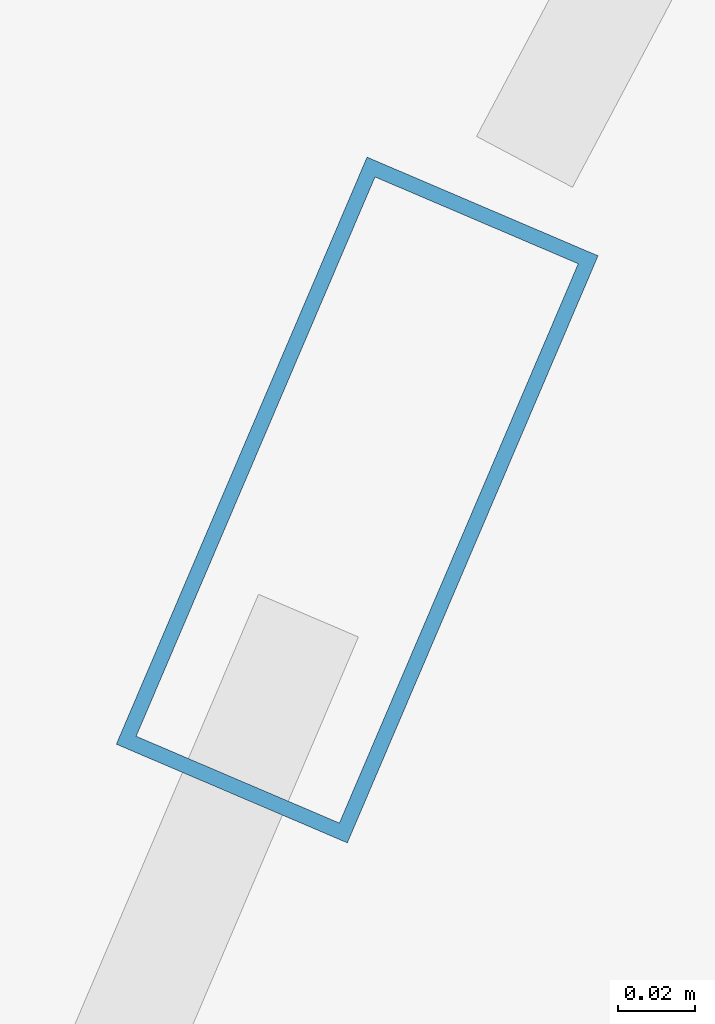
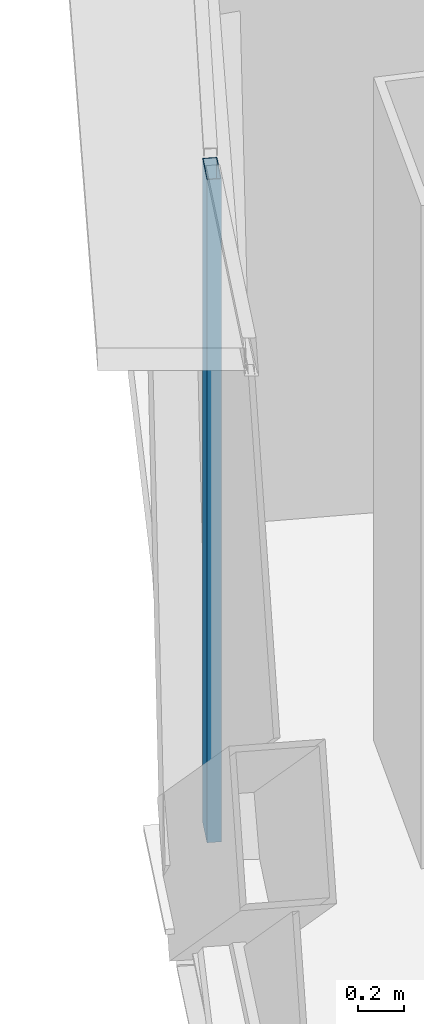
# One storey, part 8 of 41: 1 member, 1 element without a shape of its own.
"""IFC4 building model written with IfcOpenShell, lengths in metres."""

from ifc_helpers import new_model, si_unit, direction, frame, origin, origin_2d, place, context, subcontext, project, spatial, hollow_rectangle, extrude, source, transform, mapped, material, layer, layer_set, material_profile, profile_set, type_object, element, aggregate, save


model = new_model("IFC4")

# Units and contexts
model_context = context("Model", 3, precision=1e-05, world=origin(), true_north=direction((0.0, 1.0)))
body_context = subcontext(model_context, "Body", "Model", "MODEL_VIEW")
ifc_project = project(units=[si_unit("LENGTHUNIT", "METRE"), si_unit("AREAUNIT", "SQUARE_METRE"), si_unit("VOLUMEUNIT", "CUBIC_METRE"), si_unit("PLANEANGLEUNIT", "RADIAN"), si_unit("MASSUNIT", "GRAM", prefix="KILO"), si_unit("THERMODYNAMICTEMPERATUREUNIT", "KELVIN"), si_unit("POWERUNIT", "WATT")], contexts=[model_context])

# Site, building, storey
site_placement = place(None, origin())
site = spatial("IfcSite", under=ifc_project, at=site_placement, CompositionType="ELEMENT")
building_placement = place(site_placement, origin())
building = spatial("IfcBuilding", under=site, at=building_placement, Name="Yunzhuo Pagoda Commons", CompositionType="ELEMENT")
storey_placement = place(building_placement, frame((0.0, 0.0, 111.580078125)))
storey = spatial("IfcBuildingStorey", under=building, at=storey_placement, Name="L28", CompositionType="ELEMENT", Elevation=111.580078125)

# Curtain wall, member
ifc_material = material(Name="Anodized aluminium 6063-T6", Category="aluminium")
ifc_layer = layer(ifc_material, 0.1650390625)
ifc_layer_set = layer_set([ifc_layer], Name="Anodized aluminium 6063-T6")
curtain_wall_type = type_object("IfcCurtainWallType", Name="CW-LOW Low-Zone Ribbon Curtain Wall", PredefinedType="NOTDEFINED", material=ifc_layer_set)
curtain_wall_placement = place(storey_placement, origin())
curtain_wall = element("IfcCurtainWall", 1, at=curtain_wall_placement, inside=storey, type_object=curtain_wall_type, Name="L28 curtain wall CW-L28-F3B4", PredefinedType="NOTDEFINED")
ifc_material_profile = material_profile(ifc_material, hollow_rectangle(XDim=0.06494140625, YDim=0.1650390625, WallThickness=0.00390625, at=origin_2d()), Name="Anodized aluminium 6063-T6")
ifc_profile_set = profile_set([ifc_material_profile], Name="Anodized aluminium 6063-T6")
member_type = type_object("IfcMemberType", Name="CW-LOW-M Mullion RHS 165x65x4", PredefinedType="MULLION", material=ifc_profile_set)
shared_shape = source(origin(), body_context, "Body", "SweptSolid", [
    extrude(hollow_rectangle(XDim=0.06494140625, YDim=0.1650390625, WallThickness=0.00390625, at=origin_2d()), origin(), (0.0, 0.0, 1.0), 3.5400390625),
])
member_placement = place(storey_placement, frame((15.72900390625, 44.1513671875, 0.0), z_axis=(0.0, 0.0, 1.0), x_axis=(0.919648900825, -0.392741517046, 0.0)))
member = element("IfcMember", 2, at=member_placement, type_object=member_type, Name="CW mullion 1", PredefinedType="MULLION", context=body_context, shape_type="MappedRepresentation", body=[
    mapped(shared_shape, transform((0.0, 0.0, 0.0), scale=1.0)),
])
aggregate(curtain_wall, [member])

save(model, "model.ifc")
